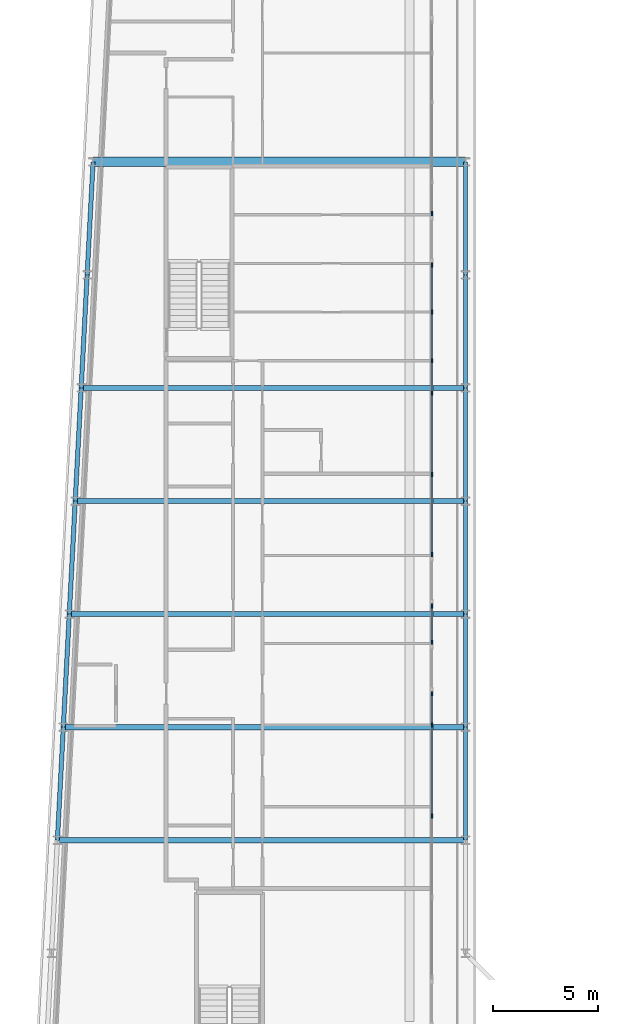
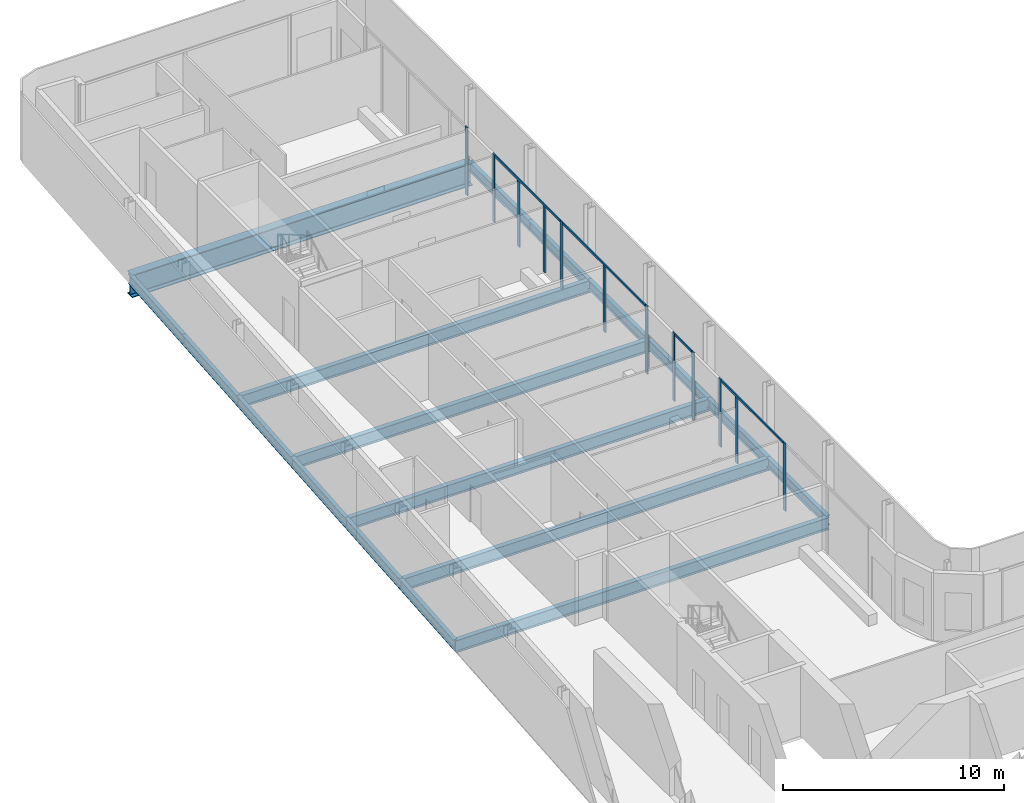
# One storey, part 7 of 21: 18 beams, 16 members, 5 elements without a shape of their own.
"""IFC4 building model written with IfcOpenShell, lengths in metres."""

from ifc_helpers import new_model, si_unit, direction, frame, origin, origin_2d, place, context, subcontext, project, spatial, rectangle, i_section, extrude, material, layer, layer_set, material_profile, profile_set, type_object, element, aggregate, save


model = new_model("IFC4")

# Units and contexts
model_context = context("Model", 3, precision=1e-05, world=origin(), true_north=direction((0.0, 1.0)))
body_context = subcontext(model_context, "Body", "Model", "MODEL_VIEW")
ifc_project = project(units=[si_unit("LENGTHUNIT", "METRE"), si_unit("AREAUNIT", "SQUARE_METRE"), si_unit("VOLUMEUNIT", "CUBIC_METRE"), si_unit("PLANEANGLEUNIT", "RADIAN"), si_unit("MASSUNIT", "GRAM", prefix="KILO")], contexts=[model_context])

# Site, building, storey
site_placement = place(None, origin())
site = spatial("IfcSite", under=ifc_project, at=site_placement, CompositionType="ELEMENT")
building_placement = place(site_placement, origin())
building = spatial("IfcBuilding", under=site, at=building_placement, Name="Kheshtan School and Residences Tower", CompositionType="ELEMENT")
storey_placement = place(building_placement, frame((0.0, 0.0, 321.5)))
storey = spatial("IfcBuildingStorey", under=building, at=storey_placement, Name="L76", CompositionType="ELEMENT", Elevation=321.5)

# Beams
ifc_material_1 = material(Name="Steel ASTM A992 Grade 50", Category="steel")
ifc_material_profile_1 = material_profile(ifc_material_1, i_section(OverallWidth=0.2529296875, OverallDepth=0.677978515625, WebThickness=0.01171875, FlangeThickness=0.016357421875, FilletRadius=0.0146484375, at=origin_2d()), Name="W690x125")
ifc_profile_set_1 = profile_set([ifc_material_profile_1], Name="Steel ASTM A992 Grade 50")
beam_type_1 = type_object("IfcBeamType", Name="Beam FB6 W690x125 ASTM A992 Grade 50", PredefinedType="BEAM", material=ifc_profile_set_1)
beam_1_placement = place(storey_placement, frame((47.60009765625, 78.0, -0.489013671875), z_axis=(-1.0, 0.0, 0.0), x_axis=(0.0, -1.0, 0.0)))
element("IfcBeam", 1, at=beam_1_placement, inside=storey, type_object=beam_type_1, Name="Floor beam C089", PredefinedType="BEAM", context=body_context, shape_type="SweptSolid", body=[
    extrude(i_section(OverallWidth=0.2529296875, OverallDepth=0.677978515625, WebThickness=0.01171875, FlangeThickness=0.016357421875, FilletRadius=0.0146484375, at=origin_2d()), origin(), (0.0, 0.0, 1.0), 18.357177734375),
])
beam_2_placement = place(storey_placement, frame((47.60009765625, 67.199951171875, -0.489013671875), z_axis=(-1.0, 0.0, 0.0), x_axis=(0.0, -1.0, 0.0)))
element("IfcBeam", 2, at=beam_2_placement, inside=storey, type_object=beam_type_1, Name="Floor beam C085", PredefinedType="BEAM", context=body_context, shape_type="SweptSolid", body=[
    extrude(i_section(OverallWidth=0.2529296875, OverallDepth=0.677978515625, WebThickness=0.01171875, FlangeThickness=0.016357421875, FilletRadius=0.0146484375, at=origin_2d()), origin(), (0.0, 0.0, 1.0), 18.926025390625),
])
beam_3_placement = place(storey_placement, frame((47.60009765625, 56.39990234375, -0.489013671875), z_axis=(-1.0, 0.0, 0.0), x_axis=(0.0, -1.0, 0.0)))
element("IfcBeam", 3, at=beam_3_placement, inside=storey, type_object=beam_type_1, Name="Floor beam C081", PredefinedType="BEAM", context=body_context, shape_type="SweptSolid", body=[
    extrude(i_section(OverallWidth=0.2529296875, OverallDepth=0.677978515625, WebThickness=0.01171875, FlangeThickness=0.016357421875, FilletRadius=0.0146484375, at=origin_2d()), origin(), (0.0, 0.0, 1.0), 19.494140625),
])
beam_4_placement = place(storey_placement, frame((28.389892578125, 61.800048828125, -0.489013671875), z_axis=(1.0, 0.0, 0.0), x_axis=(0.0, 1.0, 0.0)))
element("IfcBeam", 4, at=beam_4_placement, inside=storey, type_object=beam_type_1, Name="Floor beam C082", PredefinedType="BEAM", context=body_context, shape_type="SweptSolid", body=[
    extrude(i_section(OverallWidth=0.2529296875, OverallDepth=0.677978515625, WebThickness=0.01171875, FlangeThickness=0.016357421875, FilletRadius=0.0146484375, at=origin_2d()), origin(), (0.0, 0.0, 1.0), 19.210205078125),
])
beam_5_placement = place(storey_placement, frame((28.9580078125, 72.60009765625, -0.489013671875), z_axis=(1.0, 0.0, 0.0), x_axis=(0.0, 1.0, 0.0)))
element("IfcBeam", 5, at=beam_5_placement, inside=storey, type_object=beam_type_1, Name="Floor beam C086", PredefinedType="BEAM", context=body_context, shape_type="SweptSolid", body=[
    extrude(i_section(OverallWidth=0.2529296875, OverallDepth=0.677978515625, WebThickness=0.01171875, FlangeThickness=0.016357421875, FilletRadius=0.0146484375, at=origin_2d()), origin(), (0.0, 0.0, 1.0), 18.64208984375),
])
ifc_material_profile_2 = material_profile(ifc_material_1, i_section(OverallWidth=0.208984375, OverallDepth=0.532958984375, WebThickness=0.01025390625, FlangeThickness=0.015625, FilletRadius=0.013916015625, at=origin_2d()), Name="W530x92")
ifc_profile_set_2 = profile_set([ifc_material_profile_2], Name="Steel ASTM A992 Grade 50")
beam_type_2 = type_object("IfcBeamType", Name="Beam SP3 W530x92 ASTM A992 Grade 50", PredefinedType="BEAM", material=ifc_profile_set_2)
beam_6_placement = place(storey_placement, frame((47.60009765625, 88.800048828125, -0.41650390625), z_axis=(0.0, -1.0, 0.0), x_axis=(1.0, 0.0, 0.0)))
element("IfcBeam", 6, at=beam_6_placement, inside=storey, type_object=beam_type_2, Name="Spandrel beam C099-C091", PredefinedType="BEAM", context=body_context, shape_type="SweptSolid", body=[
    extrude(i_section(OverallWidth=0.208984375, OverallDepth=0.532958984375, WebThickness=0.01025390625, FlangeThickness=0.015625, FilletRadius=0.013916015625, at=origin_2d()), origin(), (0.0, 0.0, 1.0), 5.400146484375),
])
for number, where, z_axis, x_axis, name in (
    (7, (47.60009765625, 83.39990234375, -0.41650390625), (0.0, -1.0, 0.0), (1.0, 0.0, 0.0), "Spandrel beam C091-C089"),
    (8, (47.60009765625, 78.0, -0.41650390625), (0.0, -1.0, 0.0), (1.0, 0.0, 0.0), "Spandrel beam C089-C087"),
):
    element("IfcBeam", number, at=place(storey_placement, frame(where, z_axis=z_axis, x_axis=x_axis)), inside=storey, type_object=beam_type_2, Name=name, PredefinedType="BEAM", context=body_context, shape_type="SweptSolid", body=[
        extrude(i_section(OverallWidth=0.208984375, OverallDepth=0.532958984375, WebThickness=0.01025390625, FlangeThickness=0.015625, FilletRadius=0.013916015625, at=origin_2d()), origin(), (0.0, 0.0, 1.0), 5.39990234375),
    ])
beam_7_placement = place(storey_placement, frame((47.60009765625, 72.60009765625, -0.41650390625), z_axis=(0.0, -1.0, 0.0), x_axis=(1.0, 0.0, 0.0)))
element("IfcBeam", 9, at=beam_7_placement, inside=storey, type_object=beam_type_2, Name="Spandrel beam C087-C085", PredefinedType="BEAM", context=body_context, shape_type="SweptSolid", body=[
    extrude(i_section(OverallWidth=0.208984375, OverallDepth=0.532958984375, WebThickness=0.01025390625, FlangeThickness=0.015625, FilletRadius=0.013916015625, at=origin_2d()), origin(), (0.0, 0.0, 1.0), 5.400146484375),
])
beam_8_placement = place(storey_placement, frame((47.60009765625, 67.199951171875, -0.41650390625), z_axis=(0.0, -1.0, 0.0), x_axis=(1.0, 0.0, 0.0)))
element("IfcBeam", 10, at=beam_8_placement, inside=storey, type_object=beam_type_2, Name="Spandrel beam C085-C083", PredefinedType="BEAM", context=body_context, shape_type="SweptSolid", body=[
    extrude(i_section(OverallWidth=0.208984375, OverallDepth=0.532958984375, WebThickness=0.01025390625, FlangeThickness=0.015625, FilletRadius=0.013916015625, at=origin_2d()), origin(), (0.0, 0.0, 1.0), 5.39990234375),
])
beam_9_placement = place(storey_placement, frame((47.60009765625, 61.800048828125, -0.41650390625), z_axis=(0.0, -1.0, 0.0), x_axis=(1.0, 0.0, 0.0)))
element("IfcBeam", 11, at=beam_9_placement, inside=storey, type_object=beam_type_2, Name="Spandrel beam C083-C081", PredefinedType="BEAM", context=body_context, shape_type="SweptSolid", body=[
    extrude(i_section(OverallWidth=0.208984375, OverallDepth=0.532958984375, WebThickness=0.01025390625, FlangeThickness=0.015625, FilletRadius=0.013916015625, at=origin_2d()), origin(), (0.0, 0.0, 1.0), 5.400146484375),
])
beam_10_placement = place(storey_placement, frame((28.10595703125, 56.39990234375, -0.41650390625), z_axis=(0.05250670125, 0.998620571751, 0.0), x_axis=(-0.998620571751, 0.05250670125, 0.0)))
element("IfcBeam", 12, at=beam_10_placement, inside=storey, type_object=beam_type_2, Name="Spandrel beam C080-C082", PredefinedType="BEAM", context=body_context, shape_type="SweptSolid", body=[
    extrude(i_section(OverallWidth=0.208984375, OverallDepth=0.532958984375, WebThickness=0.01025390625, FlangeThickness=0.015625, FilletRadius=0.013916015625, at=origin_2d()), origin(), (0.0, 0.0, 1.0), 5.40771484375),
])
beam_11_placement = place(storey_placement, frame((28.389892578125, 61.800048828125, -0.41650390625), z_axis=(0.052554093665, 0.998618078766, 0.0), x_axis=(-0.998618078766, 0.052554093665, 0.0)))
element("IfcBeam", 13, at=beam_11_placement, inside=storey, type_object=beam_type_2, Name="Spandrel beam C082-C084", PredefinedType="BEAM", context=body_context, shape_type="SweptSolid", body=[
    extrude(i_section(OverallWidth=0.208984375, OverallDepth=0.532958984375, WebThickness=0.01025390625, FlangeThickness=0.015625, FilletRadius=0.013916015625, at=origin_2d()), origin(), (0.0, 0.0, 1.0), 5.407470703125),
])
beam_12_placement = place(storey_placement, frame((28.674072265625, 67.199951171875, -0.41650390625), z_axis=(0.05250670125, 0.998620571751, 0.0), x_axis=(-0.998620571751, 0.05250670125, 0.0)))
element("IfcBeam", 14, at=beam_12_placement, inside=storey, type_object=beam_type_2, Name="Spandrel beam C084-C086", PredefinedType="BEAM", context=body_context, shape_type="SweptSolid", body=[
    extrude(i_section(OverallWidth=0.208984375, OverallDepth=0.532958984375, WebThickness=0.01025390625, FlangeThickness=0.015625, FilletRadius=0.013916015625, at=origin_2d()), origin(), (0.0, 0.0, 1.0), 5.40771484375),
])
for number, where, z_axis, x_axis, name in (
    (15, (28.9580078125, 72.60009765625, -0.41650390625), (0.052689166816, 0.998610961136, 0.0), (-0.998610961136, 0.052689166816, 0.0), "Spandrel beam C086-C088"),
    (16, (29.242919921875, 78.0, -0.41650390625), (0.052554093665, 0.998618078766, 0.0), (-0.998618078766, 0.052554093665, 0.0), "Spandrel beam C088-C090"),
):
    element("IfcBeam", number, at=place(storey_placement, frame(where, z_axis=z_axis, x_axis=x_axis)), inside=storey, type_object=beam_type_2, Name=name, PredefinedType="BEAM", context=body_context, shape_type="SweptSolid", body=[
        extrude(i_section(OverallWidth=0.208984375, OverallDepth=0.532958984375, WebThickness=0.01025390625, FlangeThickness=0.015625, FilletRadius=0.013916015625, at=origin_2d()), origin(), (0.0, 0.0, 1.0), 5.407470703125),
    ])
beam_13_placement = place(storey_placement, frame((29.527099609375, 83.39990234375, -0.41650390625), z_axis=(0.05250670125, 0.998620571751, 0.0), x_axis=(-0.998620571751, 0.05250670125, 0.0)))
element("IfcBeam", 17, at=beam_13_placement, inside=storey, type_object=beam_type_2, Name="Spandrel beam C090-C098", PredefinedType="BEAM", context=body_context, shape_type="SweptSolid", body=[
    extrude(i_section(OverallWidth=0.208984375, OverallDepth=0.532958984375, WebThickness=0.01025390625, FlangeThickness=0.015625, FilletRadius=0.013916015625, at=origin_2d()), origin(), (0.0, 0.0, 1.0), 5.40771484375),
])

# Curtain wall, member
ifc_material_2 = material(Name="Clear low-e glass in thermally broken aluminium frame", Category="aluminium")
ifc_layer = layer(ifc_material_2, 0.199951171875)
ifc_layer_set = layer_set([ifc_layer], Name="Curtain wall CW-L")
curtain_wall_type = type_object("IfcCurtainWallType", Name="Curtain wall CW-L", PredefinedType="NOTDEFINED", material=ifc_layer_set)
curtain_wall_1_placement = place(storey_placement, origin())
curtain_wall_1 = element("IfcCurtainWall", 18, at=curtain_wall_1_placement, inside=storey, type_object=curtain_wall_type, Name="Curtain wall CWL8a", PredefinedType="NOTDEFINED")
ifc_material_3 = material(Name="Thermally broken aluminium, dark bronze anodised", Category="aluminium")
ifc_material_profile_3 = material_profile(ifc_material_3, rectangle(XDim=0.06005859375, YDim=0.199951171875, at=origin_2d()), Name="CW-L mullion 60x200")
ifc_profile_set_3 = profile_set([ifc_material_profile_3], Name="Thermally broken aluminium, dark bronze anodised")
member_type_1 = type_object("IfcMemberType", Name="CW-L mullion 60x200", PredefinedType="MULLION", material=ifc_profile_set_3)
member_1_placement = place(storey_placement, frame((46.0, 86.3359375, 0.0), z_axis=(0.0, 0.0, 1.0), x_axis=(1.0, 0.0, 0.0)))
member_1 = element("IfcMember", 19, at=member_1_placement, type_object=member_type_1, Name="CWL8a mullion 2", PredefinedType="MULLION", context=body_context, shape_type="SweptSolid", body=[
    extrude(rectangle(XDim=0.06005859375, YDim=0.199951171875, at=origin_2d()), origin(), (0.0, 0.0, 1.0), 3.75),
])
aggregate(curtain_wall_1, [member_1])

# Curtain wall, members
curtain_wall_2_placement = place(storey_placement, origin())
curtain_wall_2 = element("IfcCurtainWall", 20, at=curtain_wall_2_placement, inside=storey, type_object=curtain_wall_type, Name="Curtain wall CWL8b", PredefinedType="NOTDEFINED")
member_2_placement = place(storey_placement, frame((46.0, 83.8759765625, 0.0), z_axis=(0.0, 0.0, 1.0), x_axis=(1.0, 0.0, 0.0)))
member_2 = element("IfcMember", 21, at=member_2_placement, type_object=member_type_1, Name="CWL8b mullion 1", PredefinedType="MULLION", context=body_context, shape_type="SweptSolid", body=[
    extrude(rectangle(XDim=0.06005859375, YDim=0.199951171875, at=origin_2d()), origin(), (0.0, 0.0, 1.0), 3.75),
])
member_3_placement = place(storey_placement, frame((46.0, 81.625, 0.0), z_axis=(0.0, 0.0, 1.0), x_axis=(1.0, 0.0, 0.0)))
member_3 = element("IfcMember", 22, at=member_3_placement, type_object=member_type_1, Name="CWL8b mullion 2", PredefinedType="MULLION", context=body_context, shape_type="SweptSolid", body=[
    extrude(rectangle(XDim=0.06005859375, YDim=0.199951171875, at=origin_2d()), origin(), (0.0, 0.0, 1.0), 3.6298828125),
])
member_4_placement = place(storey_placement, frame((46.0, 79.300048828125, 0.0), z_axis=(0.0, 0.0, 1.0), x_axis=(1.0, 0.0, 0.0)))
member_4 = element("IfcMember", 23, at=member_4_placement, type_object=member_type_1, Name="CWL8b mullion 3", PredefinedType="MULLION", context=body_context, shape_type="SweptSolid", body=[
    extrude(rectangle(XDim=0.06005859375, YDim=0.199951171875, at=origin_2d()), origin(), (0.0, 0.0, 1.0), 3.6298828125),
])
member_5_placement = place(storey_placement, frame((46.0, 77.741943359375, 0.0), z_axis=(0.0, 0.0, 1.0), x_axis=(1.0, 0.0, 0.0)))
member_5 = element("IfcMember", 24, at=member_5_placement, type_object=member_type_1, Name="CWL8b mullion 4", PredefinedType="MULLION", context=body_context, shape_type="SweptSolid", body=[
    extrude(rectangle(XDim=0.06005859375, YDim=0.199951171875, at=origin_2d()), origin(), (0.0, 0.0, 1.0), 3.75),
])

curtain_wall_3_placement = place(storey_placement, origin())
curtain_wall_3 = element("IfcCurtainWall", 25, at=curtain_wall_3_placement, inside=storey, type_object=curtain_wall_type, Name="Curtain wall CWL8", PredefinedType="NOTDEFINED")
member_6_placement = place(storey_placement, frame((46.0, 73.864990234375, 0.0), z_axis=(0.0, 0.0, 1.0), x_axis=(1.0, 0.0, 0.0)))
member_6 = element("IfcMember", 26, at=member_6_placement, type_object=member_type_1, Name="CWL8 mullion 2", PredefinedType="MULLION", context=body_context, shape_type="SweptSolid", body=[
    extrude(rectangle(XDim=0.06005859375, YDim=0.199951171875, at=origin_2d()), origin(), (0.0, 0.0, 1.0), 3.6298828125),
])
member_7_placement = place(storey_placement, frame((46.0, 70.048095703125, 0.0), z_axis=(0.0, 0.0, 1.0), x_axis=(1.0, 0.0, 0.0)))
member_7 = element("IfcMember", 27, at=member_7_placement, type_object=member_type_1, Name="CWL8 mullion 3", PredefinedType="MULLION", context=body_context, shape_type="SweptSolid", body=[
    extrude(rectangle(XDim=0.06005859375, YDim=0.199951171875, at=origin_2d()), origin(), (0.0, 0.0, 1.0), 3.75),
])

curtain_wall_4_placement = place(storey_placement, origin())
curtain_wall_4 = element("IfcCurtainWall", 28, at=curtain_wall_4_placement, inside=storey, type_object=curtain_wall_type, Name="Curtain wall CWL8e", PredefinedType="NOTDEFINED")
member_8_placement = place(storey_placement, frame((46.0, 67.587890625, 0.0), z_axis=(0.0, 0.0, 1.0), x_axis=(1.0, 0.0, 0.0)))
member_8 = element("IfcMember", 29, at=member_8_placement, type_object=member_type_1, Name="CWL8e mullion 1", PredefinedType="MULLION", context=body_context, shape_type="SweptSolid", body=[
    extrude(rectangle(XDim=0.06005859375, YDim=0.199951171875, at=origin_2d()), origin(), (0.0, 0.0, 1.0), 3.75),
])
member_9_placement = place(storey_placement, frame((46.0, 65.847900390625, 0.0), z_axis=(0.0, 0.0, 1.0), x_axis=(1.0, 0.0, 0.0)))
member_9 = element("IfcMember", 30, at=member_9_placement, type_object=member_type_1, Name="CWL8e mullion 2", PredefinedType="MULLION", context=body_context, shape_type="SweptSolid", body=[
    extrude(rectangle(XDim=0.06005859375, YDim=0.199951171875, at=origin_2d()), origin(), (0.0, 0.0, 1.0), 3.75),
])

curtain_wall_5_placement = place(storey_placement, origin())
curtain_wall_5 = element("IfcCurtainWall", 31, at=curtain_wall_5_placement, inside=storey, type_object=curtain_wall_type, Name="Curtain wall CWL8m", PredefinedType="NOTDEFINED")
member_10_placement = place(storey_placement, frame((46.0, 63.387939453125, 0.0), z_axis=(0.0, 0.0, 1.0), x_axis=(1.0, 0.0, 0.0)))
member_10 = element("IfcMember", 32, at=member_10_placement, type_object=member_type_1, Name="CWL8m mullion 1", PredefinedType="MULLION", context=body_context, shape_type="SweptSolid", body=[
    extrude(rectangle(XDim=0.06005859375, YDim=0.199951171875, at=origin_2d()), origin(), (0.0, 0.0, 1.0), 3.75),
])
member_11_placement = place(storey_placement, frame((46.0, 61.89990234375, 0.0), z_axis=(0.0, 0.0, 1.0), x_axis=(1.0, 0.0, 0.0)))
member_11 = element("IfcMember", 33, at=member_11_placement, type_object=member_type_1, Name="CWL8m mullion 2", PredefinedType="MULLION", context=body_context, shape_type="SweptSolid", body=[
    extrude(rectangle(XDim=0.06005859375, YDim=0.199951171875, at=origin_2d()), origin(), (0.0, 0.0, 1.0), 3.6298828125),
])
member_12_placement = place(storey_placement, frame((46.0, 57.553955078125, 0.0), z_axis=(0.0, 0.0, 1.0), x_axis=(1.0, 0.0, 0.0)))
member_12 = element("IfcMember", 34, at=member_12_placement, type_object=member_type_1, Name="CWL8m mullion 3", PredefinedType="MULLION", context=body_context, shape_type="SweptSolid", body=[
    extrude(rectangle(XDim=0.06005859375, YDim=0.199951171875, at=origin_2d()), origin(), (0.0, 0.0, 1.0), 3.75),
])

# Member
ifc_material_profile_4 = material_profile(ifc_material_3, rectangle(XDim=0.06005859375, YDim=0.1201171875, at=origin_2d()), Name="CW-L transom 60x120")
ifc_profile_set_4 = profile_set([ifc_material_profile_4], Name="Thermally broken aluminium, dark bronze anodised")
member_type_2 = type_object("IfcMemberType", Name="CW-L transom 60x120", PredefinedType="USERDEFINED", material=ifc_profile_set_4)
member_13_placement = place(storey_placement, frame((46.0, 83.845947265625, 3.68994140625), z_axis=(0.0, -1.0, 0.0), x_axis=(1.0, 0.0, 0.0)))
member_13 = element("IfcMember", 35, at=member_13_placement, type_object=member_type_2, Name="CWL8b transom 1", ObjectType="TRANSOM", PredefinedType="USERDEFINED", context=body_context, shape_type="SweptSolid", body=[
    extrude(rectangle(XDim=0.06005859375, YDim=0.1201171875, at=origin_2d()), origin(), (0.0, 0.0, 1.0), 6.073974609375),
])

aggregate(curtain_wall_2, [member_2, member_3, member_4, member_5, member_13])

member_14_placement = place(storey_placement, frame((46.0, 77.7119140625, 3.68994140625), z_axis=(0.0, -1.0, 0.0), x_axis=(1.0, 0.0, 0.0)))
member_14 = element("IfcMember", 36, at=member_14_placement, type_object=member_type_2, Name="CWL8 transom 1", ObjectType="TRANSOM", PredefinedType="USERDEFINED", context=body_context, shape_type="SweptSolid", body=[
    extrude(rectangle(XDim=0.06005859375, YDim=0.1201171875, at=origin_2d()), origin(), (0.0, 0.0, 1.0), 7.634033203125),
])

aggregate(curtain_wall_3, [member_6, member_7, member_14])

member_15_placement = place(storey_placement, frame((46.0, 67.55810546875, 3.68994140625), z_axis=(0.0, -1.0, 0.0), x_axis=(1.0, 0.0, 0.0)))
member_15 = element("IfcMember", 37, at=member_15_placement, type_object=member_type_2, Name="CWL8e transom 1", ObjectType="TRANSOM", PredefinedType="USERDEFINED", context=body_context, shape_type="SweptSolid", body=[
    extrude(rectangle(XDim=0.06005859375, YDim=0.1201171875, at=origin_2d()), origin(), (0.0, 0.0, 1.0), 1.68017578125),
])

aggregate(curtain_wall_4, [member_8, member_9, member_15])

member_16_placement = place(storey_placement, frame((46.0, 63.35791015625, 3.68994140625), z_axis=(0.0, -1.0, 0.0), x_axis=(1.0, 0.0, 0.0)))
member_16 = element("IfcMember", 38, at=member_16_placement, type_object=member_type_2, Name="CWL8m transom 1", ObjectType="TRANSOM", PredefinedType="USERDEFINED", context=body_context, shape_type="SweptSolid", body=[
    extrude(rectangle(XDim=0.06005859375, YDim=0.1201171875, at=origin_2d()), origin(), (0.0, 0.0, 1.0), 5.77392578125),
])

aggregate(curtain_wall_5, [member_10, member_11, member_12, member_16])

# Beam
ifc_material_profile_5 = material_profile(ifc_material_1, i_section(OverallWidth=0.449951171875, OverallDepth=1.25, WebThickness=0.02490234375, FlangeThickness=0.044921875, FilletRadius=0.03759765625, at=origin_2d()), Name="WWF1250x546")
ifc_profile_set_5 = profile_set([ifc_material_profile_5], Name="Steel ASTM A992 Grade 50")
beam_type_3 = type_object("IfcBeamType", Name="Transfer girder TG4 WWF1250x546 ASTM A992 Grade 50", PredefinedType="BEAM", material=ifc_profile_set_5)
beam_14_placement = place(storey_placement, frame((29.81103515625, 88.800048828125, -0.77490234375), z_axis=(1.0, 0.0, 0.0), x_axis=(0.0, 1.0, 0.0)))
element("IfcBeam", 39, at=beam_14_placement, inside=storey, type_object=beam_type_3, Name="Transfer girder C098-C099", PredefinedType="BEAM", context=body_context, shape_type="SweptSolid", body=[
    extrude(i_section(OverallWidth=0.449951171875, OverallDepth=1.25, WebThickness=0.02490234375, FlangeThickness=0.044921875, FilletRadius=0.03759765625, at=origin_2d()), origin(), (0.0, 0.0, 1.0), 17.7890625),
])

save(model, "model.ifc")
